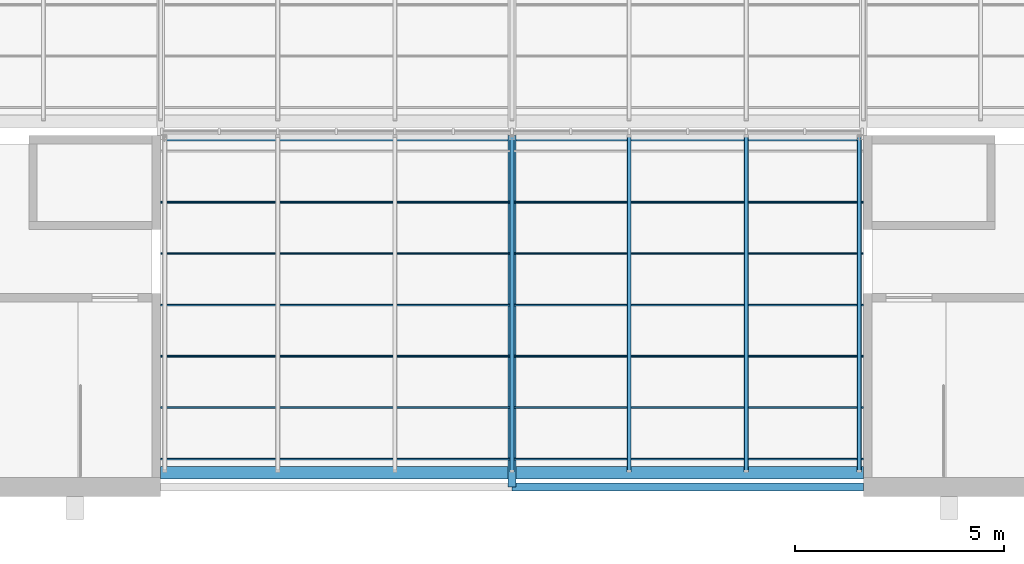
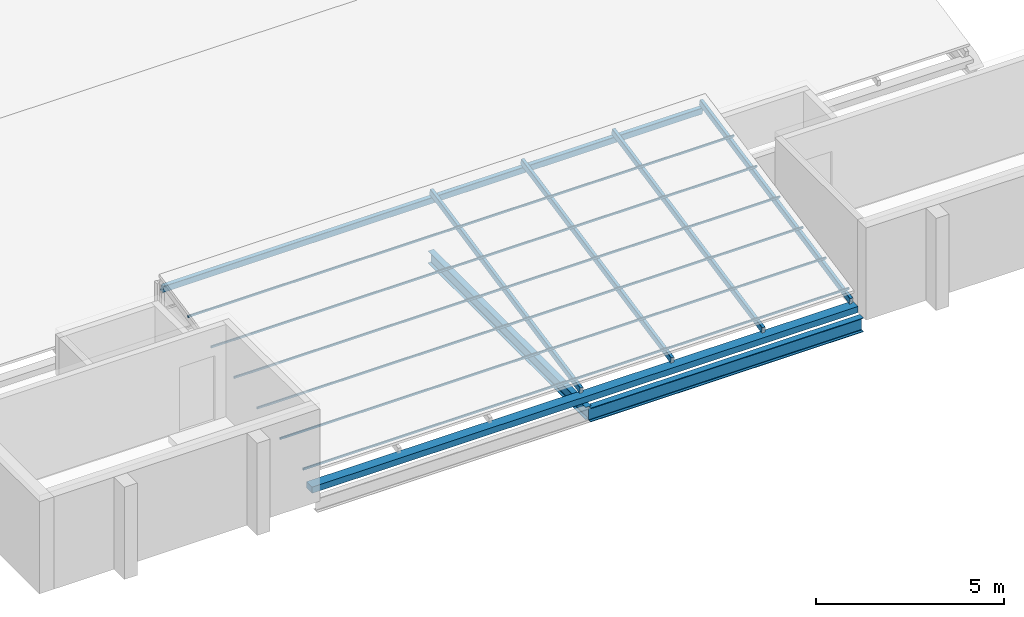
# One storey, part 9 of 121: 11 members, 3 beams.
"""IFC4 building model written with IfcOpenShell, lengths in metres."""

from ifc_helpers import new_model, si_unit, direction, frame, origin, origin_2d, place, context, subcontext, project, spatial, rectangle, hollow_rectangle, i_section, extrude, material, material_profile, profile_set, type_object, element, save


model = new_model("IFC4")

# Units and contexts
model_context = context("Model", 3, precision=1e-05, world=origin(), true_north=direction((0.0, 1.0)))
body_context = subcontext(model_context, "Body", "Model", "MODEL_VIEW")
ifc_project = project(units=[si_unit("LENGTHUNIT", "METRE"), si_unit("AREAUNIT", "SQUARE_METRE"), si_unit("VOLUMEUNIT", "CUBIC_METRE"), si_unit("PLANEANGLEUNIT", "RADIAN"), si_unit("MASSUNIT", "GRAM", prefix="KILO")], contexts=[model_context])

# Site, building, storey
site_placement = place(None, origin())
site = spatial("IfcSite", under=ifc_project, at=site_placement, CompositionType="ELEMENT")
building_placement = place(site_placement, origin())
building = spatial("IfcBuilding", under=site, at=building_placement, Name="Ardhachandra Cancer Care Centre", CompositionType="ELEMENT")
storey_placement = place(building_placement, frame((0.0, 0.0, 9.0)))
storey = spatial("IfcBuildingStorey", under=building, at=storey_placement, Name="L02", CompositionType="ELEMENT", Elevation=9.0)

# Beams
ifc_material_1 = material(Name="Steel E350 (IS 2062)", Category="steel")
ifc_material_profile_1 = material_profile(ifc_material_1, i_section(OverallWidth=0.179931640625, OverallDepth=0.39990234375, WebThickness=0.008544921875, FlangeThickness=0.013427734375, FilletRadius=0.02099609375, at=origin_2d()), Name="NPB 400x180x66.30")
ifc_profile_set_1 = profile_set([ifc_material_profile_1], Name="Steel E350 (IS 2062)")
beam_type_1 = type_object("IfcBeamType", Name="Beam NPB 400x180x66.30", PredefinedType="BEAM", material=ifc_profile_set_1)
beam_1_placement = place(storey_placement, frame((27.60009765625, 29.39990234375, -0.199951171875), z_axis=(0.0, 1.0, 0.0), x_axis=(-1.0, 0.0, 0.0)))
element("IfcBeam", 1, at=beam_1_placement, inside=storey, type_object=beam_type_1, Name="Roof girder C3-D3", PredefinedType="BEAM", context=body_context, shape_type="SweptSolid", body=[
    extrude(i_section(OverallWidth=0.179931640625, OverallDepth=0.39990234375, WebThickness=0.008544921875, FlangeThickness=0.013427734375, FilletRadius=0.02099609375, at=origin_2d()), origin(), (0.0, 0.0, 1.0), 8.400146484375),
])
ifc_material_2 = material(Name="Steel E350 (IS 2062)", Category="steel")
ifc_material_profile_2 = material_profile(ifc_material_2, i_section(OverallWidth=0.19189453125, OverallDepth=0.4560546875, WebThickness=0.010986328125, FlangeThickness=0.017578125, FilletRadius=0.02099609375, at=origin_2d()), Name="NPB 450x190x92.36")
ifc_profile_set_2 = profile_set([ifc_material_profile_2], Name="Steel E350 (IS 2062)")
beam_type_2 = type_object("IfcBeamType", Name="Beam NPB 450x190x92.36", PredefinedType="BEAM", material=ifc_profile_set_2)
beam_2_placement = place(storey_placement, frame((27.60009765625, 29.39990234375, -0.22802734375), z_axis=(1.0, 0.0, 0.0), x_axis=(0.0, 1.0, 0.0)))
element("IfcBeam", 2, at=beam_2_placement, inside=storey, type_object=beam_type_2, Name="Roof girder C3-C4", PredefinedType="BEAM", context=body_context, shape_type="SweptSolid", body=[
    extrude(i_section(OverallWidth=0.19189453125, OverallDepth=0.4560546875, WebThickness=0.010986328125, FlangeThickness=0.017578125, FilletRadius=0.02099609375, at=origin_2d()), origin(), (0.0, 0.0, 1.0), 8.39990234375),
])

# Members
ifc_material_3 = material(Name="Steel E350 (IS 2062)", Category="steel")
ifc_material_profile_3 = material_profile(ifc_material_3, hollow_rectangle(XDim=0.0400390625, YDim=0.080078125, WallThickness=0.00390625, InnerFilletRadius=0.00390625, OuterFilletRadius=0.008056640625, at=origin_2d()), Name="RHS 80x40x4.0")
ifc_profile_set_3 = profile_set([ifc_material_profile_3], Name="Steel E350 (IS 2062)")
member_type_1 = type_object("IfcMemberType", Name="Roof purlin RHS 80x40x4.0", PredefinedType="PURLIN", material=ifc_profile_set_3)
for number, where, z_axis, x_axis, name in (
    (3, (19.199951171875, 30.072265625, 0.5), (1.0, 0.0, 0.0), (0.0, 0.980106641092, 0.198471590126), "Purlin T1a.1"),
    (4, (19.199951171875, 31.299072265625, 0.74853515625), (1.0, 0.0, 0.0), (0.0, 0.980106641092, 0.198471590126), "Purlin T1a.2"),
    (5, (19.199951171875, 32.525634765625, 0.996826171875), (1.0, 0.0, 0.0), (0.0, 0.980106641092, 0.198471590126), "Purlin T1a.3"),
    (6, (19.199951171875, 33.75244140625, 1.2451171875), (1.0, 0.0, 0.0), (0.0, 0.980106641092, 0.198471590126), "Purlin T1a.4"),
    (7, (19.199951171875, 34.97900390625, 1.49365234375), (1.0, 0.0, 0.0), (0.0, 0.980106641092, 0.198471590126), "Purlin T1a.5"),
    (8, (19.199951171875, 36.205810546875, 1.741943359375), (1.0, 0.0, 0.0), (0.0, 0.980106641092, 0.198471590126), "Purlin T1a.6"),
):
    element("IfcMember", number, at=place(storey_placement, frame(where, z_axis=z_axis, x_axis=x_axis)), inside=storey, type_object=member_type_1, Name=name, PredefinedType="PURLIN", context=body_context, shape_type="SweptSolid", body=[
        extrude(hollow_rectangle(XDim=0.0400390625, YDim=0.080078125, WallThickness=0.00390625, InnerFilletRadius=0.00390625, OuterFilletRadius=0.008056640625, at=origin_2d()), origin(), (0.0, 0.0, 1.0), 16.800048828125),
    ])
ifc_material_4 = material(Name="Steel E350 (IS 2062)", Category="steel")
ifc_material_profile_4 = material_profile(ifc_material_4, hollow_rectangle(XDim=0.10009765625, YDim=0.199951171875, WallThickness=0.006103515625, InnerFilletRadius=0.006103515625, OuterFilletRadius=0.011962890625, at=origin_2d()), Name="RHS 200x100x6.0")
ifc_profile_set_4 = profile_set([ifc_material_profile_4], Name="Steel E350 (IS 2062)")
member_type_2 = type_object("IfcMemberType", Name="Roof rafter RHS 200x100x6.0", PredefinedType="RAFTER", material=ifc_profile_set_4)
for number, where, z_axis, x_axis, name in (
    (9, (27.60009765625, 29.7802734375, 0.298095703125), (0.0, 0.980109665583, 0.198456653782), (-1.0, 0.0, 0.0), "Rafter T1a.4"),
    (10, (30.39990234375, 29.7802734375, 0.298095703125), (0.0, 0.980109665583, 0.198456653782), (-1.0, 0.0, 0.0), "Rafter T1a.5"),
    (11, (33.199951171875, 29.7802734375, 0.298095703125), (0.0, 0.980109665583, 0.198456653782), (-1.0, 0.0, 0.0), "Rafter T1a.6"),
    (12, (35.89990234375, 29.7802734375, 0.298095703125), (0.0, 0.980109665583, 0.198456653782), (-1.0, 0.0, 0.0), "Rafter T1a.7"),
):
    element("IfcMember", number, at=place(storey_placement, frame(where, z_axis=z_axis, x_axis=x_axis)), inside=storey, type_object=member_type_2, Name=name, PredefinedType="RAFTER", context=body_context, shape_type="SweptSolid", body=[
        extrude(hollow_rectangle(XDim=0.10009765625, YDim=0.199951171875, WallThickness=0.006103515625, InnerFilletRadius=0.006103515625, OuterFilletRadius=0.011962890625, at=origin_2d()), origin(), (0.0, 0.0, 1.0), 8.162353515625),
    ])

# Beam
ifc_material_5 = material(Name="Steel E350 (IS 2062)", Category="steel")
ifc_material_profile_5 = material_profile(ifc_material_5, hollow_rectangle(XDim=0.1201171875, YDim=0.239990234375, WallThickness=0.006103515625, InnerFilletRadius=0.006103515625, OuterFilletRadius=0.011962890625, at=origin_2d()), Name="RHS 240x120x6.0")
ifc_profile_set_5 = profile_set([ifc_material_profile_5], Name="Steel E350 (IS 2062)")
beam_type_3 = type_object("IfcBeamType", Name="Sawtooth ridge beam RHS 240x120x6.0", PredefinedType="BEAM", material=ifc_profile_set_5)
beam_3_placement = place(storey_placement, frame((19.300048828125, 37.75, 1.6875), z_axis=(1.0, 0.0, 0.0), x_axis=(0.0, 0.980106641092, 0.198471590126)))
element("IfcBeam", 13, at=beam_3_placement, inside=storey, type_object=beam_type_3, Name="Ridge beam T1a", PredefinedType="BEAM", context=body_context, shape_type="SweptSolid", body=[
    extrude(hollow_rectangle(XDim=0.1201171875, YDim=0.239990234375, WallThickness=0.006103515625, InnerFilletRadius=0.006103515625, OuterFilletRadius=0.011962890625, at=origin_2d()), origin(), (0.0, 0.0, 1.0), 16.599853515625),
])

# Member
ifc_material_6 = material(Name="Stainless steel sheet gutter on galvanised steel cradle", Category="steel")
ifc_material_profile_6 = material_profile(ifc_material_6, rectangle(XDim=0.300048828125, YDim=0.199951171875, at=origin_2d()), Name="Valley gutter 300 x 200")
ifc_profile_set_6 = profile_set([ifc_material_profile_6], Name="Stainless steel sheet gutter on galvanised steel cradle")
member_type_3 = type_object("IfcMemberType", Name="Valley gutter 300 x 200", PredefinedType="USERDEFINED", material=ifc_profile_set_6)
member_placement = place(storey_placement, frame((19.199951171875, 29.739990234375, 0.10009765625), z_axis=(1.0, 0.0, 0.0), x_axis=(0.0, 1.0, 0.0)))
element("IfcMember", 14, at=member_placement, inside=storey, type_object=member_type_3, Name="Valley gutter T1a", ObjectType="GUTTER", PredefinedType="USERDEFINED", context=body_context, shape_type="SweptSolid", body=[
    extrude(rectangle(XDim=0.300048828125, YDim=0.199951171875, at=origin_2d()), origin(), (0.0, 0.0, 1.0), 16.800048828125),
])

save(model, "model.ifc")
